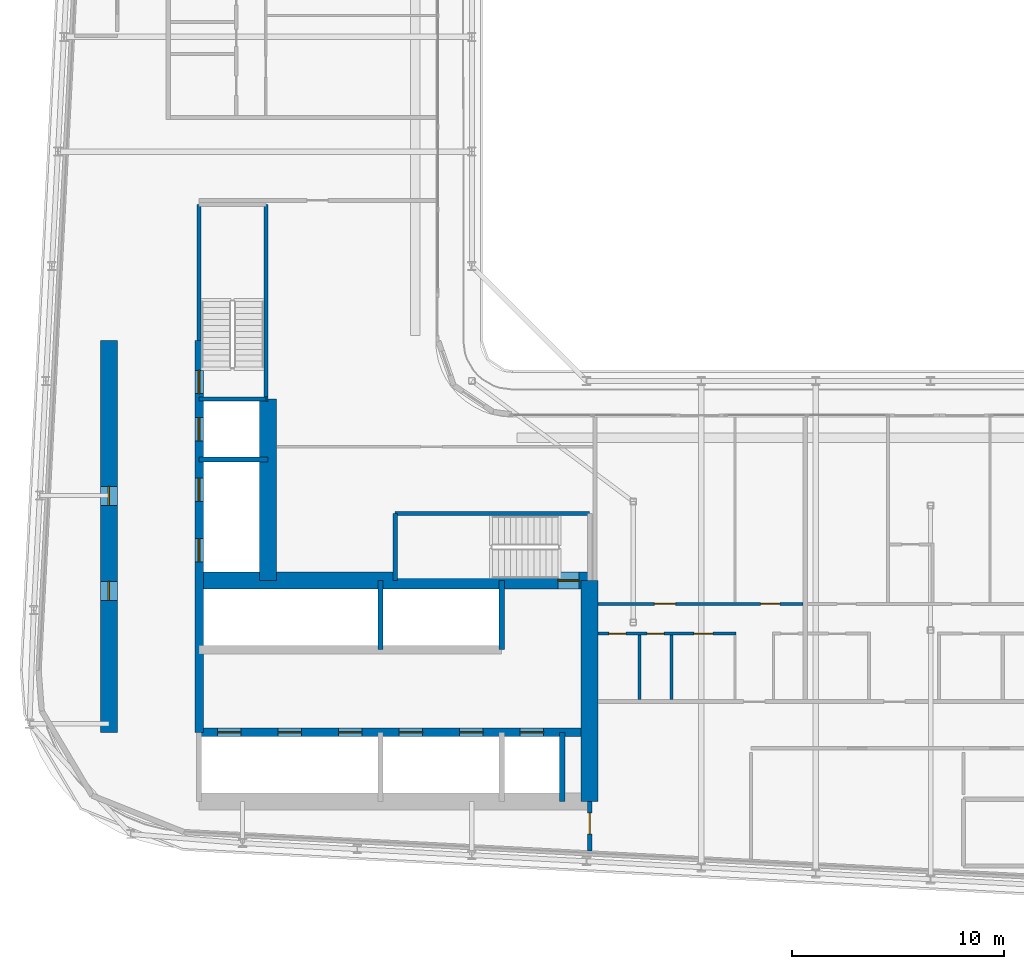
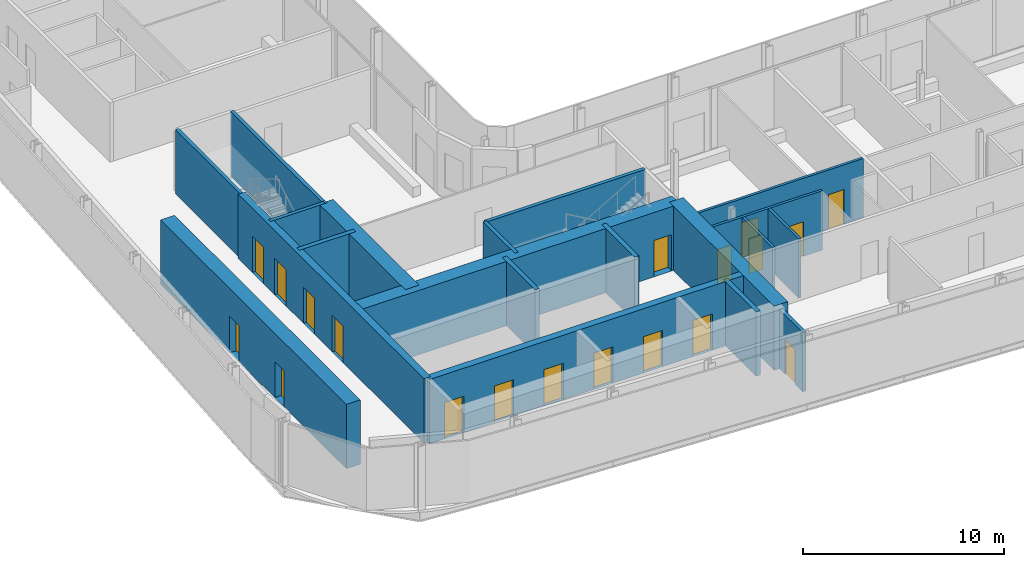
# One storey, part 15 of 29: 21 walls, 19 doors, 19 openings.
"""IFC4 building model written with IfcOpenShell, lengths in metres."""

from ifc_helpers import new_model, si_unit, direction, frame, frame_2d, origin, place, context, subcontext, project, spatial, rectangle, extrude, source, transform, mapped, material, layer, layer_set, type_object, element, fill, save


model = new_model("IFC4")

# Units and contexts
model_context = context("Model", 3, precision=1e-05, world=origin(), true_north=direction((0.0, 1.0)))
body_context = subcontext(model_context, "Body", "Model", "MODEL_VIEW")
ifc_project = project(units=[si_unit("LENGTHUNIT", "METRE"), si_unit("AREAUNIT", "SQUARE_METRE"), si_unit("VOLUMEUNIT", "CUBIC_METRE"), si_unit("PLANEANGLEUNIT", "RADIAN"), si_unit("MASSUNIT", "GRAM", prefix="KILO")], contexts=[model_context])

# Site, building, storey
site_placement = place(None, origin())
site = spatial("IfcSite", under=ifc_project, at=site_placement, CompositionType="ELEMENT")
building_placement = place(site_placement, origin())
building = spatial("IfcBuilding", under=site, at=building_placement, Name="Kheshtan School and Residences Tower", CompositionType="ELEMENT")
storey_placement = place(building_placement, frame((0.0, 0.0, 179.89990234375)))
storey = spatial("IfcBuildingStorey", under=building, at=storey_placement, Name="L42", CompositionType="ELEMENT", Elevation=179.89990234375)

# Wall, openings, doors
ifc_material_1 = material(Name="Concrete C50/60", Category="concrete")
ifc_layer_1 = layer(ifc_material_1, 0.39990234375)
ifc_layer_set_1 = layer_set([ifc_layer_1], Name="Core wall 400 Concrete C50/60")
wall_type_1 = type_object("IfcWallType", Name="Core wall 400 Concrete C50/60", PredefinedType="SHEAR", material=ifc_layer_set_1)
wall_1_placement = place(storey_placement, frame((34.75, 29.050048828125, 0.0), z_axis=(0.0, 0.0, 1.0), x_axis=(1.0, 0.0, 0.0)))
wall_1 = element("IfcWall", 1, at=wall_1_placement, inside=storey, type_object=wall_type_1, Name="Core wall CW-HALL-S1", PredefinedType="SHEAR", context=body_context, shape_type="SweptSolid", body=[
    extrude(rectangle(XDim=18.39990234375, YDim=0.39990234375, at=frame_2d((9.199951171875, 0.0))), origin(), (0.0, 0.0, 1.0), 3.900146484375),
])
opening_1_placement = place(wall_1_placement, frame((0.875, 0.0, 0.0)))
opening_1 = element("IfcOpeningElement", 2, at=opening_1_placement, cuts=wall_1, Name="Opening LD", PredefinedType="OPENING", context=body_context, shape_type="SweptSolid", body=[
    extrude(rectangle(XDim=1.10009765625, YDim=2.199951171875, at=frame_2d((0.550048828125, 1.10009765625))), frame((0.0, 0.2099609375, 0.0), z_axis=(0.0, -1.0, 0.0), x_axis=(1.0, 0.0, 0.0)), (0.0, 0.0, 1.0), 0.419921875),
])
opening_2_placement = place(wall_1_placement, frame((3.72509765625, 0.0, 0.0)))
opening_2 = element("IfcOpeningElement", 3, at=opening_2_placement, cuts=wall_1, Name="Opening LD", PredefinedType="OPENING", context=body_context, shape_type="SweptSolid", body=[
    extrude(rectangle(XDim=1.10009765625, YDim=2.199951171875, at=frame_2d((0.550048828125, 1.10009765625))), frame((0.0, 0.2099609375, 0.0), z_axis=(0.0, -1.0, 0.0), x_axis=(1.0, 0.0, 0.0)), (0.0, 0.0, 1.0), 0.419921875),
])
opening_3_placement = place(wall_1_placement, frame((6.574951171875, 0.0, 0.0)))
opening_3 = element("IfcOpeningElement", 4, at=opening_3_placement, cuts=wall_1, Name="Opening LD", PredefinedType="OPENING", context=body_context, shape_type="SweptSolid", body=[
    extrude(rectangle(XDim=1.10009765625, YDim=2.199951171875, at=frame_2d((0.550048828125, 1.10009765625))), frame((0.0, 0.2099609375, 0.0), z_axis=(0.0, -1.0, 0.0), x_axis=(1.0, 0.0, 0.0)), (0.0, 0.0, 1.0), 0.419921875),
])
opening_4_placement = place(wall_1_placement, frame((9.425048828125, 0.0, 0.0)))
opening_4 = element("IfcOpeningElement", 5, at=opening_4_placement, cuts=wall_1, Name="Opening LD", PredefinedType="OPENING", context=body_context, shape_type="SweptSolid", body=[
    extrude(rectangle(XDim=1.10009765625, YDim=2.199951171875, at=frame_2d((0.550048828125, 1.10009765625))), frame((0.0, 0.2099609375, 0.0), z_axis=(0.0, -1.0, 0.0), x_axis=(1.0, 0.0, 0.0)), (0.0, 0.0, 1.0), 0.419921875),
])
opening_5_placement = place(wall_1_placement, frame((12.27490234375, 0.0, 0.0)))
opening_5 = element("IfcOpeningElement", 6, at=opening_5_placement, cuts=wall_1, Name="Opening LD", PredefinedType="OPENING", context=body_context, shape_type="SweptSolid", body=[
    extrude(rectangle(XDim=1.10009765625, YDim=2.199951171875, at=frame_2d((0.550048828125, 1.10009765625))), frame((0.0, 0.2099609375, 0.0), z_axis=(0.0, -1.0, 0.0), x_axis=(1.0, 0.0, 0.0)), (0.0, 0.0, 1.0), 0.419921875),
])
opening_6_placement = place(wall_1_placement, frame((15.125, 0.0, 0.0)))
opening_6 = element("IfcOpeningElement", 7, at=opening_6_placement, cuts=wall_1, Name="Opening LD", PredefinedType="OPENING", context=body_context, shape_type="SweptSolid", body=[
    extrude(rectangle(XDim=1.10009765625, YDim=2.199951171875, at=frame_2d((0.550048828125, 1.10009765625))), frame((0.0, 0.2099609375, 0.0), z_axis=(0.0, -1.0, 0.0), x_axis=(1.0, 0.0, 0.0)), (0.0, 0.0, 1.0), 0.419921875),
])
ifc_material_2 = material(Name="Stainless steel door leaves", Category="steel")
door_type_1 = type_object("IfcDoorType", Name="Lift landing door 1100", OperationType="SLIDING_TO_LEFT", PredefinedType="DOOR", material=ifc_material_2)
shared_shape_1 = source(origin(), body_context, "Body", "SweptSolid", [
    extrude(rectangle(XDim=1.10009765625, YDim=2.199951171875, at=frame_2d((0.550048828125, 1.10009765625))), frame((0.0, 0.02490234375, 0.0), z_axis=(0.0, -1.0, 0.0), x_axis=(1.0, 0.0, 0.0)), (0.0, 0.0, 1.0), 0.050048828125),
])
door_1_placement = place(opening_1_placement, origin())
door_1 = element("IfcDoor", 8, at=door_1_placement, inside=storey, type_object=door_type_1, Name="Lift P7 landing door", OperationType="SLIDING_TO_LEFT", OverallHeight=2.199951171875, OverallWidth=1.10009765625, PredefinedType="DOOR", context=body_context, shape_type="MappedRepresentation", body=[
    mapped(shared_shape_1, transform((0.0, 0.0, 0.0), x_axis=(1.0, 0.0, 0.0), y_axis=(0.0, 1.0, 0.0), z_axis=(0.0, 0.0, 1.0), scale=1.0)),
])
fill(opening_1, door_1)
door_2_placement = place(opening_2_placement, origin())
door_2 = element("IfcDoor", 9, at=door_2_placement, inside=storey, type_object=door_type_1, Name="Lift P8 landing door", OperationType="SLIDING_TO_LEFT", OverallHeight=2.199951171875, OverallWidth=1.10009765625, PredefinedType="DOOR", context=body_context, shape_type="MappedRepresentation", body=[
    mapped(shared_shape_1, transform((0.0, 0.0, 0.0), x_axis=(1.0, 0.0, 0.0), y_axis=(0.0, 1.0, 0.0), z_axis=(0.0, 0.0, 1.0), scale=1.0)),
])
fill(opening_2, door_2)
door_3_placement = place(opening_3_placement, origin())
door_3 = element("IfcDoor", 10, at=door_3_placement, inside=storey, type_object=door_type_1, Name="Lift P9 landing door", OperationType="SLIDING_TO_LEFT", OverallHeight=2.199951171875, OverallWidth=1.10009765625, PredefinedType="DOOR", context=body_context, shape_type="MappedRepresentation", body=[
    mapped(shared_shape_1, transform((0.0, 0.0, 0.0), x_axis=(1.0, 0.0, 0.0), y_axis=(0.0, 1.0, 0.0), z_axis=(0.0, 0.0, 1.0), scale=1.0)),
])
fill(opening_3, door_3)
door_4_placement = place(opening_4_placement, origin())
door_4 = element("IfcDoor", 11, at=door_4_placement, inside=storey, type_object=door_type_1, Name="Lift P10 landing door", OperationType="SLIDING_TO_LEFT", OverallHeight=2.199951171875, OverallWidth=1.10009765625, PredefinedType="DOOR", context=body_context, shape_type="MappedRepresentation", body=[
    mapped(shared_shape_1, transform((0.0, 0.0, 0.0), x_axis=(1.0, 0.0, 0.0), y_axis=(0.0, 1.0, 0.0), z_axis=(0.0, 0.0, 1.0), scale=1.0)),
])
fill(opening_4, door_4)
door_5_placement = place(opening_5_placement, origin())
door_5 = element("IfcDoor", 12, at=door_5_placement, inside=storey, type_object=door_type_1, Name="Lift P11 landing door", OperationType="SLIDING_TO_LEFT", OverallHeight=2.199951171875, OverallWidth=1.10009765625, PredefinedType="DOOR", context=body_context, shape_type="MappedRepresentation", body=[
    mapped(shared_shape_1, transform((0.0, 0.0, 0.0), x_axis=(1.0, 0.0, 0.0), y_axis=(0.0, 1.0, 0.0), z_axis=(0.0, 0.0, 1.0), scale=1.0)),
])
fill(opening_5, door_5)
door_6_placement = place(opening_6_placement, origin())
door_6 = element("IfcDoor", 13, at=door_6_placement, inside=storey, type_object=door_type_1, Name="Lift FFL2 landing door", OperationType="SLIDING_TO_LEFT", OverallHeight=2.199951171875, OverallWidth=1.10009765625, PredefinedType="DOOR", context=body_context, shape_type="MappedRepresentation", body=[
    mapped(shared_shape_1, transform((0.0, 0.0, 0.0), x_axis=(1.0, 0.0, 0.0), y_axis=(0.0, 1.0, 0.0), z_axis=(0.0, 0.0, 1.0), scale=1.0)),
])
fill(opening_6, door_6)

wall_2_placement = place(storey_placement, frame((34.75, 29.050048828125, 0.0), z_axis=(0.0, 0.0, 1.0), x_axis=(0.0, 1.0, 0.0)))
wall_2 = element("IfcWall", 14, at=wall_2_placement, inside=storey, type_object=wall_type_1, Name="Core wall CW-HALL-W1", PredefinedType="SHEAR", context=body_context, shape_type="SweptSolid", body=[
    extrude(rectangle(XDim=18.449951171875, YDim=0.39990234375, at=frame_2d((9.22509765625, 0.0))), origin(), (0.0, 0.0, 1.0), 3.900146484375),
])
opening_7_placement = place(wall_2_placement, frame((8.02490234375, 0.0, 0.0)))
opening_7 = element("IfcOpeningElement", 15, at=opening_7_placement, cuts=wall_2, Name="Opening LD", PredefinedType="OPENING", context=body_context, shape_type="SweptSolid", body=[
    extrude(rectangle(XDim=1.10009765625, YDim=2.199951171875, at=frame_2d((0.550048828125, 1.10009765625))), frame((0.0, 0.2099609375, 0.0), z_axis=(0.0, -1.0, 0.0), x_axis=(1.0, 0.0, 0.0)), (0.0, 0.0, 1.0), 0.419921875),
])
opening_8_placement = place(wall_2_placement, frame((10.875, 0.0, 0.0)))
opening_8 = element("IfcOpeningElement", 16, at=opening_8_placement, cuts=wall_2, Name="Opening LD", PredefinedType="OPENING", context=body_context, shape_type="SweptSolid", body=[
    extrude(rectangle(XDim=1.10009765625, YDim=2.199951171875, at=frame_2d((0.550048828125, 1.10009765625))), frame((0.0, 0.2099609375, 0.0), z_axis=(0.0, -1.0, 0.0), x_axis=(1.0, 0.0, 0.0)), (0.0, 0.0, 1.0), 0.419921875),
])
opening_9_placement = place(wall_2_placement, frame((13.72509765625, 0.0, 0.0)))
opening_9 = element("IfcOpeningElement", 17, at=opening_9_placement, cuts=wall_2, Name="Opening LD", PredefinedType="OPENING", context=body_context, shape_type="SweptSolid", body=[
    extrude(rectangle(XDim=1.10009765625, YDim=2.199951171875, at=frame_2d((0.550048828125, 1.10009765625))), frame((0.0, 0.2099609375, 0.0), z_axis=(0.0, -1.0, 0.0), x_axis=(1.0, 0.0, 0.0)), (0.0, 0.0, 1.0), 0.419921875),
])
opening_10_placement = place(wall_2_placement, frame((15.949951171875, 0.0, 0.0)))
opening_10 = element("IfcOpeningElement", 18, at=opening_10_placement, cuts=wall_2, Name="Opening ST2D", PredefinedType="OPENING", context=body_context, shape_type="SweptSolid", body=[
    extrude(rectangle(XDim=1.10009765625, YDim=2.199951171875, at=frame_2d((0.550048828125, 1.10009765625))), frame((0.0, 0.2099609375, 0.0), z_axis=(0.0, -1.0, 0.0), x_axis=(1.0, 0.0, 0.0)), (0.0, 0.0, 1.0), 0.419921875),
])
door_7_placement = place(opening_7_placement, origin())
door_7 = element("IfcDoor", 19, at=door_7_placement, inside=storey, type_object=door_type_1, Name="Lift SV1 landing door", OperationType="SLIDING_TO_LEFT", OverallHeight=2.199951171875, OverallWidth=1.10009765625, PredefinedType="DOOR", context=body_context, shape_type="MappedRepresentation", body=[
    mapped(shared_shape_1, transform((0.0, 0.0, 0.0), x_axis=(1.0, 0.0, 0.0), y_axis=(0.0, 1.0, 0.0), z_axis=(0.0, 0.0, 1.0), scale=1.0)),
])
fill(opening_7, door_7)
door_8_placement = place(opening_8_placement, origin())
door_8 = element("IfcDoor", 20, at=door_8_placement, inside=storey, type_object=door_type_1, Name="Lift SV2 landing door", OperationType="SLIDING_TO_LEFT", OverallHeight=2.199951171875, OverallWidth=1.10009765625, PredefinedType="DOOR", context=body_context, shape_type="MappedRepresentation", body=[
    mapped(shared_shape_1, transform((0.0, 0.0, 0.0), x_axis=(1.0, 0.0, 0.0), y_axis=(0.0, 1.0, 0.0), z_axis=(0.0, 0.0, 1.0), scale=1.0)),
])
fill(opening_8, door_8)
door_9_placement = place(opening_9_placement, origin())
door_9 = element("IfcDoor", 21, at=door_9_placement, inside=storey, type_object=door_type_1, Name="Lift FFL1 landing door", OperationType="SLIDING_TO_LEFT", OverallHeight=2.199951171875, OverallWidth=1.10009765625, PredefinedType="DOOR", context=body_context, shape_type="MappedRepresentation", body=[
    mapped(shared_shape_1, transform((0.0, 0.0, 0.0), x_axis=(1.0, 0.0, 0.0), y_axis=(0.0, 1.0, 0.0), z_axis=(0.0, 0.0, 1.0), scale=1.0)),
])
fill(opening_9, door_9)
ifc_material_3 = material(Name="Steel door leaf, galvanised", Category="steel")
door_type_2 = type_object("IfcDoorType", Name="Stair door 1100 steel 90 min", OperationType="SINGLE_SWING_LEFT", PredefinedType="DOOR", material=ifc_material_3)
shared_shape_2 = source(origin(), body_context, "Body", "SweptSolid", [
    extrude(rectangle(XDim=1.10009765625, YDim=2.199951171875, at=frame_2d((0.550048828125, 1.10009765625))), frame((0.0, 0.02490234375, 0.0), z_axis=(0.0, -1.0, 0.0), x_axis=(1.0, 0.0, 0.0)), (0.0, 0.0, 1.0), 0.050048828125),
])
door_10_placement = place(opening_10_placement, origin())
door_10 = element("IfcDoor", 22, at=door_10_placement, inside=storey, type_object=door_type_2, Name="Stair ST2 door", OperationType="SINGLE_SWING_RIGHT", OverallHeight=2.199951171875, OverallWidth=1.10009765625, PredefinedType="DOOR", context=body_context, shape_type="MappedRepresentation", body=[
    mapped(shared_shape_2, transform((0.0, 0.0, 0.0), x_axis=(1.0, 0.0, 0.0), y_axis=(0.0, 1.0, 0.0), z_axis=(0.0, 0.0, 1.0), scale=1.0)),
])
fill(opening_10, door_10)

# Wall, opening, door
ifc_material_4 = material(Name="Concrete C70/85", Category="concrete")
ifc_layer_2 = layer(ifc_material_4, 0.800048828125)
ifc_layer_set_2 = layer_set([ifc_layer_2], Name="Core wall 800 Concrete C70/85")
wall_type_2 = type_object("IfcWallType", Name="Core wall 800 Concrete C70/85", PredefinedType="SHEAR", material=ifc_layer_set_2)
wall_3_placement = place(storey_placement, frame((34.75, 36.199951171875, 0.0), z_axis=(0.0, 0.0, 1.0), x_axis=(1.0, 0.0, 0.0)))
wall_3 = element("IfcWall", 23, at=wall_3_placement, inside=storey, type_object=wall_type_2, Name="Core wall CW-FRONT-S", PredefinedType="SHEAR", context=body_context, shape_type="SweptSolid", body=[
    extrude(rectangle(XDim=18.39990234375, YDim=0.800048828125, at=frame_2d((9.199951171875, 0.0))), origin(), (0.0, 0.0, 1.0), 3.900146484375),
])
opening_11_placement = place(wall_3_placement, frame((16.89990234375, 0.0, 0.0)))
opening_11 = element("IfcOpeningElement", 24, at=opening_11_placement, cuts=wall_3, Name="Opening ST1D", PredefinedType="OPENING", context=body_context, shape_type="SweptSolid", body=[
    extrude(rectangle(XDim=1.0, YDim=2.199951171875, at=frame_2d((0.5, 1.10009765625))), frame((0.0, 0.41015625, 0.0), z_axis=(0.0, -1.0, 0.0), x_axis=(1.0, 0.0, 0.0)), (0.0, 0.0, 1.0), 0.820068359375),
])
shared_shape_3 = source(origin(), body_context, "Body", "SweptSolid", [
    extrude(rectangle(XDim=1.0, YDim=2.199951171875, at=frame_2d((0.5, 1.10009765625))), frame((0.0, 0.02490234375, 0.0), z_axis=(0.0, -1.0, 0.0), x_axis=(1.0, 0.0, 0.0)), (0.0, 0.0, 1.0), 0.050048828125),
])
door_11_placement = place(opening_11_placement, origin())
door_11 = element("IfcDoor", 25, at=door_11_placement, inside=storey, type_object=door_type_2, Name="Stair ST1 door", OperationType="SINGLE_SWING_RIGHT", OverallHeight=2.199951171875, OverallWidth=1.0, PredefinedType="DOOR", context=body_context, shape_type="MappedRepresentation", body=[
    mapped(shared_shape_3, transform((0.0, 0.0, 0.0), x_axis=(1.0, 0.0, 0.0), y_axis=(0.0, 1.0, 0.0), z_axis=(0.0, 0.0, 1.0), scale=1.0)),
])
fill(opening_11, door_11)

# Wall
wall_4_placement = place(storey_placement, frame((38.0, 36.199951171875, 0.0), z_axis=(0.0, 0.0, 1.0), x_axis=(0.0, 1.0, 0.0)))
element("IfcWall", 26, at=wall_4_placement, inside=storey, type_object=wall_type_2, Name="Core wall CW-FRONT-W", PredefinedType="SHEAR", context=body_context, shape_type="SweptSolid", body=[
    extrude(rectangle(XDim=8.550048828125, YDim=0.800048828125, at=frame_2d((4.27490234375, 0.0))), origin(), (0.0, 0.0, 1.0), 3.900146484375),
])

# Wall, openings, doors
wall_5_placement = place(storey_placement, frame((30.5, 29.050048828125, 0.0), z_axis=(0.0, 0.0, 1.0), x_axis=(0.0, 1.0, 0.0)))
wall_5 = element("IfcWall", 27, at=wall_5_placement, inside=storey, type_object=wall_type_2, Name="Core wall CW-REAR-W", PredefinedType="SHEAR", context=body_context, shape_type="SweptSolid", body=[
    extrude(rectangle(XDim=18.449951171875, YDim=0.800048828125, at=frame_2d((9.22509765625, 0.0))), origin(), (0.0, 0.0, 1.0), 3.900146484375),
])
opening_12_placement = place(wall_5_placement, frame((6.2099609375, 0.0, 0.0)))
opening_12 = element("IfcOpeningElement", 28, at=opening_12_placement, cuts=wall_5, Name="Opening SR90", PredefinedType="OPENING", context=body_context, shape_type="SweptSolid", body=[
    extrude(rectangle(XDim=0.89990234375, YDim=2.199951171875, at=frame_2d((0.449951171875, 1.10009765625))), frame((0.0, 0.41015625, 0.0), z_axis=(0.0, -1.0, 0.0), x_axis=(1.0, 0.0, 0.0)), (0.0, 0.0, 1.0), 0.820068359375),
])
opening_13_placement = place(wall_5_placement, frame((10.68408203125, 0.0, 0.0)))
opening_13 = element("IfcOpeningElement", 29, at=opening_13_placement, cuts=wall_5, Name="Opening SR90", PredefinedType="OPENING", context=body_context, shape_type="SweptSolid", body=[
    extrude(rectangle(XDim=0.89990234375, YDim=2.199951171875, at=frame_2d((0.449951171875, 1.10009765625))), frame((0.0, 0.41015625, 0.0), z_axis=(0.0, -1.0, 0.0), x_axis=(1.0, 0.0, 0.0)), (0.0, 0.0, 1.0), 0.820068359375),
])
door_type_3 = type_object("IfcDoorType", Name="Service room door 900 steel 90 min", OperationType="SINGLE_SWING_LEFT", PredefinedType="DOOR", material=ifc_material_3)
shared_shape_4 = source(origin(), body_context, "Body", "SweptSolid", [
    extrude(rectangle(XDim=0.89990234375, YDim=2.199951171875, at=frame_2d((0.449951171875, 1.10009765625))), frame((0.0, 0.02490234375, 0.0), z_axis=(0.0, -1.0, 0.0), x_axis=(1.0, 0.0, 0.0)), (0.0, 0.0, 1.0), 0.050048828125),
])
door_12_placement = place(opening_12_placement, origin())
door_12 = element("IfcDoor", 30, at=door_12_placement, inside=storey, type_object=door_type_3, Name="Service room door", OperationType="SINGLE_SWING_RIGHT", OverallHeight=2.199951171875, OverallWidth=0.89990234375, PredefinedType="DOOR", context=body_context, shape_type="MappedRepresentation", body=[
    mapped(shared_shape_4, transform((0.0, 0.0, 0.0), x_axis=(1.0, 0.0, 0.0), y_axis=(0.0, 1.0, 0.0), z_axis=(0.0, 0.0, 1.0), scale=1.0)),
])
fill(opening_12, door_12)
door_13_placement = place(opening_13_placement, origin())
door_13 = element("IfcDoor", 31, at=door_13_placement, inside=storey, type_object=door_type_3, Name="Service room door", OperationType="SINGLE_SWING_LEFT", OverallHeight=2.199951171875, OverallWidth=0.89990234375, PredefinedType="DOOR", context=body_context, shape_type="MappedRepresentation", body=[
    mapped(shared_shape_4, transform((0.0, 0.0, 0.0), x_axis=(1.0, 0.0, 0.0), y_axis=(0.0, 1.0, 0.0), z_axis=(0.0, 0.0, 1.0), scale=1.0)),
])
fill(opening_13, door_13)

# Wall
wall_6_placement = place(storey_placement, frame((53.14990234375, 25.800048828125, 0.0), z_axis=(0.0, 0.0, 1.0), x_axis=(0.0, 1.0, 0.0)))
element("IfcWall", 32, at=wall_6_placement, inside=storey, type_object=wall_type_2, Name="Core wall CW-EAST", PredefinedType="SHEAR", context=body_context, shape_type="SweptSolid", body=[
    extrude(rectangle(XDim=10.39990234375, YDim=0.800048828125, at=frame_2d((5.199951171875, 0.0))), origin(), (0.0, 0.0, 1.0), 3.900146484375),
])

# Wall, opening, door
ifc_material_5 = material(Name="Gypsum board on steel studs with fire boards", Category="steel")
ifc_layer_3 = layer(ifc_material_5, 0.199951171875)
ifc_layer_set_3 = layer_set([ifc_layer_3], Name="Corridor wall 200")
wall_type_3 = type_object("IfcWallType", Name="Corridor wall 200", PredefinedType="PARTITIONING", material=ifc_layer_set_3)
wall_7_placement = place(storey_placement, frame((53.14990234375, 23.47216796875, 0.0), z_axis=(0.0, 0.0, 1.0), x_axis=(0.0, 1.0, 0.0)))
wall_7 = element("IfcWall", 33, at=wall_7_placement, inside=storey, type_object=wall_type_3, Name="Partition L42-030", PredefinedType="PARTITIONING", context=body_context, shape_type="SweptSolid", body=[
    extrude(rectangle(XDim=2.327880859375, YDim=0.199951171875, at=frame_2d((1.1640625, 0.0))), origin(), (0.0, 0.0, 1.0), 3.60009765625),
])
opening_14_placement = place(wall_7_placement, frame((0.784912109375, 0.0, 0.0)))
opening_14 = element("IfcOpeningElement", 34, at=opening_14_placement, cuts=wall_7, Name="Opening D41-050", PredefinedType="OPENING", context=body_context, shape_type="SweptSolid", body=[
    extrude(rectangle(XDim=1.0, YDim=2.10009765625, at=frame_2d((0.5, 1.050048828125))), frame((0.0, 0.10986328125, 0.0), z_axis=(0.0, -1.0, 0.0), x_axis=(1.0, 0.0, 0.0)), (0.0, 0.0, 1.0), 0.219970703125),
])
ifc_material_6 = material(Name="Steel-framed fire-resisting door leaf", Category="steel")
door_type_4 = type_object("IfcDoorType", Name="Fire door FD60 1000 x 2100", OperationType="SINGLE_SWING_LEFT", PredefinedType="DOOR", material=ifc_material_6)
shared_shape_5 = source(origin(), body_context, "Body", "SweptSolid", [
    extrude(rectangle(XDim=1.0, YDim=2.10009765625, at=frame_2d((0.5, 1.050048828125))), frame((0.0, 0.02490234375, 0.0), z_axis=(0.0, -1.0, 0.0), x_axis=(1.0, 0.0, 0.0)), (0.0, 0.0, 1.0), 0.050048828125),
])
door_14_placement = place(opening_14_placement, origin())
door_14 = element("IfcDoor", 35, at=door_14_placement, inside=storey, type_object=door_type_4, Name="Door D41-050", OperationType="SINGLE_SWING_RIGHT", OverallHeight=2.10009765625, OverallWidth=1.0, PredefinedType="DOOR", context=body_context, shape_type="MappedRepresentation", body=[
    mapped(shared_shape_5, transform((0.0, 0.0, 0.0), x_axis=(1.0, 0.0, 0.0), y_axis=(0.0, 1.0, 0.0), z_axis=(0.0, 0.0, 1.0), scale=1.0)),
])
fill(opening_14, door_14)

# Walls
ifc_material_7 = material(Name="Fire-board shaft wall system")
ifc_layer_4 = layer(ifc_material_7, 0.25)
ifc_layer_set_4 = layer_set([ifc_layer_4], Name="Shaft lining wall 250")
wall_type_4 = type_object("IfcWallType", Name="Shaft lining wall 250", PredefinedType="PARTITIONING", material=ifc_layer_set_4)
for number, where, z_axis, x_axis, name in (
    (36, (43.300048828125, 32.949951171875, 0.0), (0.0, 0.0, 1.0), (0.0, 1.0, 0.0), "Shaft lining wall"),
    (37, (49.0, 32.949951171875, 0.0), (0.0, 0.0, 1.0), (0.0, 1.0, 0.0), "Shaft lining wall"),
    (38, (51.85009765625, 25.800048828125, 0.0), (0.0, 0.0, 1.0), (0.0, 1.0, 0.0), "Shaft lining wall"),
    (39, (34.75, 41.89990234375, 0.0), (0.0, 0.0, 1.0), (1.0, 0.0, 0.0), "Shaft lining wall"),
):
    element("IfcWall", number, at=place(storey_placement, frame(where, z_axis=z_axis, x_axis=x_axis)), inside=storey, type_object=wall_type_4, Name=name, PredefinedType="PARTITIONING", context=body_context, shape_type="SweptSolid", body=[
        extrude(rectangle(XDim=3.25, YDim=0.25, at=frame_2d((1.625, 0.0))), origin(), (0.0, 0.0, 1.0), 3.900146484375),
    ])
wall_8_placement = place(storey_placement, frame((37.89990234375, 44.75, 0.0), z_axis=(0.0, 0.0, 1.0), x_axis=(1.0, 0.0, 0.0)))
element("IfcWall", 40, at=wall_8_placement, inside=storey, type_object=wall_type_4, Name="Shaft lining wall", PredefinedType="PARTITIONING", context=body_context, shape_type="SweptSolid", body=[
    extrude(rectangle(XDim=0.10009765625, YDim=0.25, at=frame_2d((0.050048828125, 0.0))), origin(), (0.0, 0.0, 1.0), 3.900146484375),
])
ifc_material_8 = material(Name="Concrete C40/50", Category="concrete")
ifc_layer_5 = layer(ifc_material_8, 0.199951171875)
ifc_layer_set_5 = layer_set([ifc_layer_5], Name="Stair enclosure wall 200 Concrete C40/50")
wall_type_5 = type_object("IfcWallType", Name="Stair enclosure wall 200 Concrete C40/50", PredefinedType="SHEAR", material=ifc_layer_set_5)
wall_9_placement = place(storey_placement, frame((43.989990234375, 39.35009765625, 0.0), z_axis=(0.0, 0.0, 1.0), x_axis=(1.0, 0.0, 0.0)))
element("IfcWall", 41, at=wall_9_placement, inside=storey, type_object=wall_type_5, Name="Stair enclosure wall ST1", PredefinedType="SHEAR", context=body_context, shape_type="SweptSolid", body=[
    extrude(rectangle(XDim=9.159912109375, YDim=0.199951171875, at=frame_2d((4.580078125, 0.0))), origin(), (0.0, 0.0, 1.0), 3.900146484375),
])
wall_10_placement = place(storey_placement, frame((43.989990234375, 36.199951171875, 0.0), z_axis=(0.0, 0.0, 1.0), x_axis=(0.0, 1.0, 0.0)))
element("IfcWall", 42, at=wall_10_placement, inside=storey, type_object=wall_type_5, Name="Stair enclosure wall ST1", PredefinedType="SHEAR", context=body_context, shape_type="SweptSolid", body=[
    extrude(rectangle(XDim=3.150146484375, YDim=0.199951171875, at=frame_2d((1.5751953125, 0.0))), origin(), (0.0, 0.0, 1.0), 3.900146484375),
])
wall_11_placement = place(storey_placement, frame((34.75, 44.75, 0.0), z_axis=(0.0, 0.0, 1.0), x_axis=(1.0, 0.0, 0.0)))
element("IfcWall", 43, at=wall_11_placement, inside=storey, type_object=wall_type_5, Name="Stair enclosure wall ST2", PredefinedType="SHEAR", context=body_context, shape_type="SweptSolid", body=[
    extrude(rectangle(XDim=3.14990234375, YDim=0.199951171875, at=frame_2d((1.574951171875, 0.0))), origin(), (0.0, 0.0, 1.0), 3.900146484375),
])
wall_12_placement = place(storey_placement, frame((34.75, 47.5, 0.0), z_axis=(0.0, 0.0, 1.0), x_axis=(0.0, 1.0, 0.0)))
element("IfcWall", 44, at=wall_12_placement, inside=storey, type_object=wall_type_5, Name="Stair enclosure wall ST2", PredefinedType="SHEAR", context=body_context, shape_type="SweptSolid", body=[
    extrude(rectangle(XDim=6.409912109375, YDim=0.199951171875, at=frame_2d((3.205078125, 0.0))), origin(), (0.0, 0.0, 1.0), 3.900146484375),
])
wall_13_placement = place(storey_placement, frame((37.89990234375, 44.75, 0.0), z_axis=(0.0, 0.0, 1.0), x_axis=(0.0, 1.0, 0.0)))
element("IfcWall", 45, at=wall_13_placement, inside=storey, type_object=wall_type_5, Name="Stair enclosure wall ST2", PredefinedType="SHEAR", context=body_context, shape_type="SweptSolid", body=[
    extrude(rectangle(XDim=9.159912109375, YDim=0.199951171875, at=frame_2d((4.580078125, 0.0))), origin(), (0.0, 0.0, 1.0), 3.900146484375),
])

# Wall, openings, doors
ifc_material_9 = material(Name="Moisture-resistant gypsum board on steel studs", Category="steel")
ifc_layer_6 = layer(ifc_material_9, 0.14990234375)
ifc_layer_set_6 = layer_set([ifc_layer_6], Name="Wet-room partition 150")
wall_type_6 = type_object("IfcWallType", Name="Wet-room partition 150", PredefinedType="PARTITIONING", material=ifc_layer_set_6)
wall_14_placement = place(storey_placement, frame((53.549072265625, 33.699951171875, 0.0), z_axis=(0.0, 0.0, 1.0), x_axis=(1.0, 0.0, 0.0)))
wall_14 = element("IfcWall", 46, at=wall_14_placement, inside=storey, type_object=wall_type_6, Name="Partition L42-033", PredefinedType="PARTITIONING", context=body_context, shape_type="SweptSolid", body=[
    extrude(rectangle(XDim=6.5009765625, YDim=0.14990234375, at=frame_2d((3.25048828125, 0.0))), origin(), (0.0, 0.0, 1.0), 3.60009765625),
])
opening_15_placement = place(wall_14_placement, frame((0.5009765625, 0.0, 0.0)))
opening_15 = element("IfcOpeningElement", 47, at=opening_15_placement, cuts=wall_14, Name="Opening D41-001", PredefinedType="OPENING", context=body_context, shape_type="SweptSolid", body=[
    extrude(rectangle(XDim=0.800048828125, YDim=2.10009765625, at=frame_2d((0.39990234375, 1.050048828125))), frame((0.0, 0.0849609375, 0.0), z_axis=(0.0, -1.0, 0.0), x_axis=(1.0, 0.0, 0.0)), (0.0, 0.0, 1.0), 0.169921875),
])
opening_16_placement = place(wall_14_placement, frame((4.5009765625, 0.0, 0.0)))
opening_16 = element("IfcOpeningElement", 48, at=opening_16_placement, cuts=wall_14, Name="Opening D41-004", PredefinedType="OPENING", context=body_context, shape_type="SweptSolid", body=[
    extrude(rectangle(XDim=0.89990234375, YDim=2.10009765625, at=frame_2d((0.449951171875, 1.050048828125))), frame((0.0, 0.0849609375, 0.0), z_axis=(0.0, -1.0, 0.0), x_axis=(1.0, 0.0, 0.0)), (0.0, 0.0, 1.0), 0.169921875),
])
opening_17_placement = place(wall_14_placement, frame((2.301025390625, 0.0, 0.0)))
opening_17 = element("IfcOpeningElement", 49, at=opening_17_placement, cuts=wall_14, Name="Opening D41-007", PredefinedType="OPENING", context=body_context, shape_type="SweptSolid", body=[
    extrude(rectangle(XDim=0.800048828125, YDim=2.10009765625, at=frame_2d((0.39990234375, 1.050048828125))), frame((0.0, 0.0849609375, 0.0), z_axis=(0.0, -1.0, 0.0), x_axis=(1.0, 0.0, 0.0)), (0.0, 0.0, 1.0), 0.169921875),
])
ifc_material_10 = material(Name="Veneered timber door leaf", Category="wood")
door_type_5 = type_object("IfcDoorType", Name="Door 800 x 2100", OperationType="SINGLE_SWING_LEFT", PredefinedType="DOOR", material=ifc_material_10)
shared_shape_6 = source(origin(), body_context, "Body", "SweptSolid", [
    extrude(rectangle(XDim=0.800048828125, YDim=2.10009765625, at=frame_2d((0.39990234375, 1.050048828125))), frame((0.0, 0.02490234375, 0.0), z_axis=(0.0, -1.0, 0.0), x_axis=(1.0, 0.0, 0.0)), (0.0, 0.0, 1.0), 0.050048828125),
])
door_15_placement = place(opening_15_placement, origin())
door_15 = element("IfcDoor", 50, at=door_15_placement, inside=storey, type_object=door_type_5, Name="Door D41-001", OperationType="SINGLE_SWING_RIGHT", OverallHeight=2.10009765625, OverallWidth=0.800048828125, PredefinedType="DOOR", context=body_context, shape_type="MappedRepresentation", body=[
    mapped(shared_shape_6, transform((0.0, 0.0, 0.0), x_axis=(1.0, 0.0, 0.0), y_axis=(0.0, 1.0, 0.0), z_axis=(0.0, 0.0, 1.0), scale=1.0)),
])
fill(opening_15, door_15)
door_16_placement = place(opening_17_placement, origin())
door_16 = element("IfcDoor", 51, at=door_16_placement, inside=storey, type_object=door_type_5, Name="Door D41-007", OperationType="SINGLE_SWING_RIGHT", OverallHeight=2.10009765625, OverallWidth=0.800048828125, PredefinedType="DOOR", context=body_context, shape_type="MappedRepresentation", body=[
    mapped(shared_shape_6, transform((0.0, 0.0, 0.0), x_axis=(1.0, 0.0, 0.0), y_axis=(0.0, 1.0, 0.0), z_axis=(0.0, 0.0, 1.0), scale=1.0)),
])
fill(opening_17, door_16)
door_type_6 = type_object("IfcDoorType", Name="Door 900 x 2100", OperationType="SINGLE_SWING_LEFT", PredefinedType="DOOR", material=ifc_material_10)
shared_shape_7 = source(origin(), body_context, "Body", "SweptSolid", [
    extrude(rectangle(XDim=0.89990234375, YDim=2.10009765625, at=frame_2d((0.449951171875, 1.050048828125))), frame((0.0, 0.02490234375, 0.0), z_axis=(0.0, -1.0, 0.0), x_axis=(1.0, 0.0, 0.0)), (0.0, 0.0, 1.0), 0.050048828125),
])
door_17_placement = place(opening_16_placement, origin())
door_17 = element("IfcDoor", 52, at=door_17_placement, inside=storey, type_object=door_type_6, Name="Door D41-004", OperationType="SINGLE_SWING_RIGHT", OverallHeight=2.10009765625, OverallWidth=0.89990234375, PredefinedType="DOOR", context=body_context, shape_type="MappedRepresentation", body=[
    mapped(shared_shape_7, transform((0.0, 0.0, 0.0), x_axis=(1.0, 0.0, 0.0), y_axis=(0.0, 1.0, 0.0), z_axis=(0.0, 0.0, 1.0), scale=1.0)),
])
fill(opening_16, door_17)

wall_15_placement = place(storey_placement, frame((53.549072265625, 35.10009765625, 0.0), z_axis=(0.0, 0.0, 1.0), x_axis=(1.0, 0.0, 0.0)))
wall_15 = element("IfcWall", 53, at=wall_15_placement, inside=storey, type_object=wall_type_6, Name="Partition L42-034", PredefinedType="PARTITIONING", context=body_context, shape_type="SweptSolid", body=[
    extrude(rectangle(XDim=9.65087890625, YDim=0.14990234375, at=frame_2d((4.825439453125, 0.0))), origin(), (0.0, 0.0, 1.0), 3.60009765625),
])
opening_18_placement = place(wall_15_placement, frame((7.65087890625, 0.0, 0.0)))
opening_18 = element("IfcOpeningElement", 54, at=opening_18_placement, cuts=wall_15, Name="Opening D41-002", PredefinedType="OPENING", context=body_context, shape_type="SweptSolid", body=[
    extrude(rectangle(XDim=0.89990234375, YDim=2.10009765625, at=frame_2d((0.449951171875, 1.050048828125))), frame((0.0, 0.0849609375, 0.0), z_axis=(0.0, -1.0, 0.0), x_axis=(1.0, 0.0, 0.0)), (0.0, 0.0, 1.0), 0.169921875),
])
opening_19_placement = place(wall_15_placement, frame((2.65087890625, 0.0, 0.0)))
opening_19 = element("IfcOpeningElement", 55, at=opening_19_placement, cuts=wall_15, Name="Opening D41-005", PredefinedType="OPENING", context=body_context, shape_type="SweptSolid", body=[
    extrude(rectangle(XDim=1.0, YDim=2.10009765625, at=frame_2d((0.5, 1.050048828125))), frame((0.0, 0.0849609375, 0.0), z_axis=(0.0, -1.0, 0.0), x_axis=(1.0, 0.0, 0.0)), (0.0, 0.0, 1.0), 0.169921875),
])
door_type_7 = type_object("IfcDoorType", Name="Door 1000 x 2100", OperationType="SINGLE_SWING_LEFT", PredefinedType="DOOR", material=ifc_material_10)
shared_shape_8 = source(origin(), body_context, "Body", "SweptSolid", [
    extrude(rectangle(XDim=1.0, YDim=2.10009765625, at=frame_2d((0.5, 1.050048828125))), frame((0.0, 0.02490234375, 0.0), z_axis=(0.0, -1.0, 0.0), x_axis=(1.0, 0.0, 0.0)), (0.0, 0.0, 1.0), 0.050048828125),
])
door_18_placement = place(opening_19_placement, origin())
door_18 = element("IfcDoor", 56, at=door_18_placement, inside=storey, type_object=door_type_7, Name="Door D41-005", OperationType="SINGLE_SWING_RIGHT", OverallHeight=2.10009765625, OverallWidth=1.0, PredefinedType="DOOR", context=body_context, shape_type="MappedRepresentation", body=[
    mapped(shared_shape_8, transform((0.0, 0.0, 0.0), x_axis=(1.0, 0.0, 0.0), y_axis=(0.0, 1.0, 0.0), z_axis=(0.0, 0.0, 1.0), scale=1.0)),
])
fill(opening_19, door_18)
door_19_placement = place(opening_18_placement, origin())
door_19 = element("IfcDoor", 57, at=door_19_placement, inside=storey, type_object=door_type_6, Name="Door D41-002", OperationType="SINGLE_SWING_LEFT", OverallHeight=2.10009765625, OverallWidth=0.89990234375, PredefinedType="DOOR", context=body_context, shape_type="MappedRepresentation", body=[
    mapped(shared_shape_7, transform((0.0, 0.0, 0.0), x_axis=(1.0, 0.0, 0.0), y_axis=(0.0, 1.0, 0.0), z_axis=(0.0, 0.0, 1.0), scale=1.0)),
])
fill(opening_18, door_19)

# Walls
for number, where, z_axis, x_axis, name in (
    (58, (55.5, 30.60009765625, 0.0), (0.0, 0.0, 1.0), (0.0, 1.0, 0.0), "Partition L42-035"),
    (59, (57.0, 30.60009765625, 0.0), (0.0, 0.0, 1.0), (0.0, 1.0, 0.0), "Partition L42-036"),
):
    element("IfcWall", number, at=place(storey_placement, frame(where, z_axis=z_axis, x_axis=x_axis)), inside=storey, type_object=wall_type_6, Name=name, PredefinedType="PARTITIONING", context=body_context, shape_type="SweptSolid", body=[
        extrude(rectangle(XDim=3.02490234375, YDim=0.14990234375, at=frame_2d((1.512451171875, 0.0))), origin(), (0.0, 0.0, 1.0), 3.60009765625),
    ])

save(model, "model.ifc")
